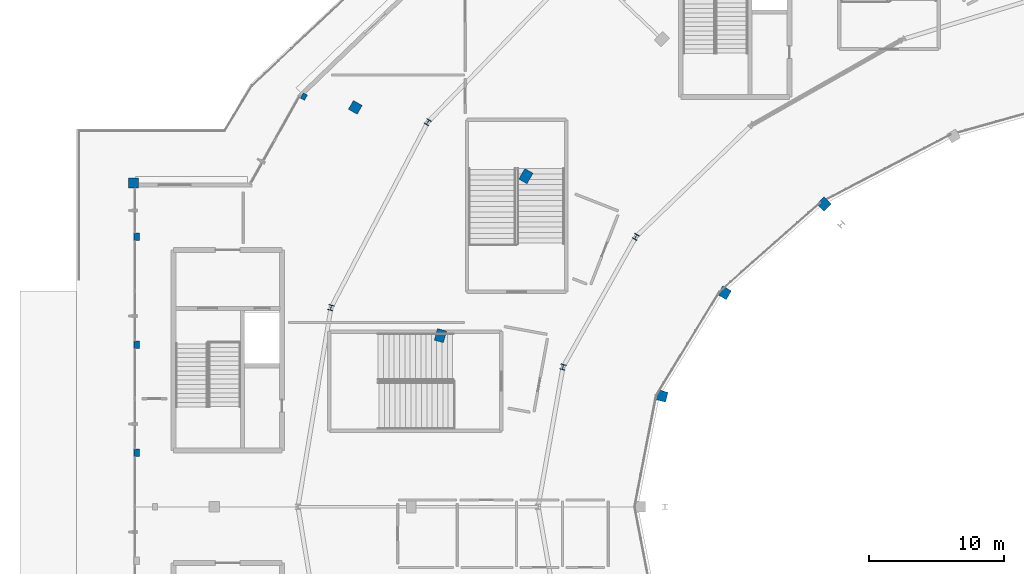
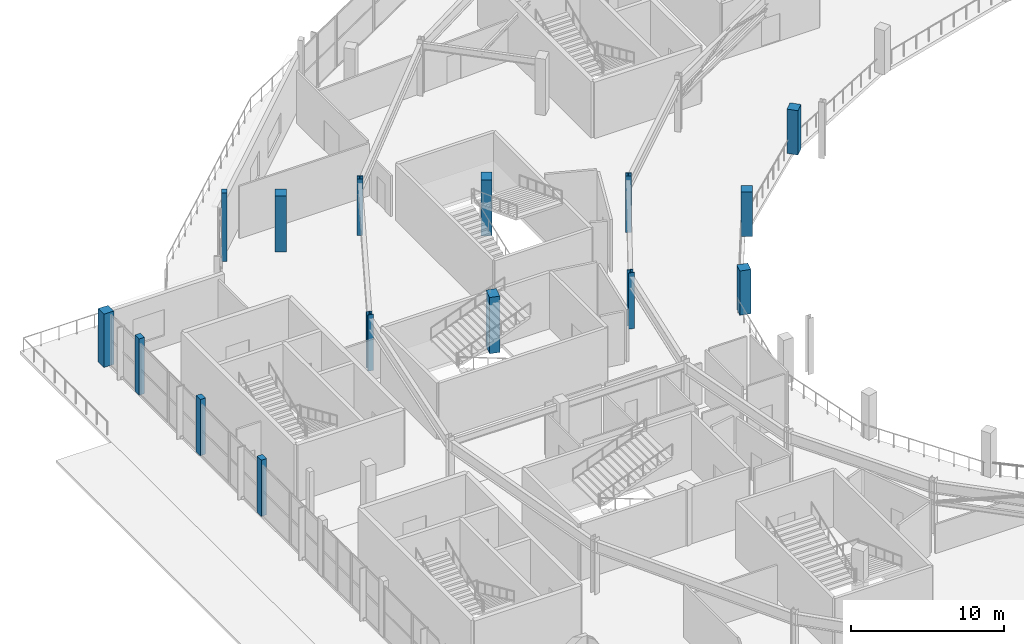
# One storey, part 7 of 123: 15 columns.
"""IFC4 building model written with IfcOpenShell, lengths in metres."""

from ifc_helpers import new_model, si_unit, direction, frame, origin, origin_2d, place, context, subcontext, project, spatial, rectangle, i_section, extrude, material, material_profile, profile_set, type_object, element, save


model = new_model("IFC4")

# Units and contexts
model_context = context("Model", 3, precision=1e-05, world=origin(), true_north=direction((0.0, 1.0)))
body_context = subcontext(model_context, "Body", "Model", "MODEL_VIEW")
ifc_project = project(units=[si_unit("LENGTHUNIT", "METRE"), si_unit("AREAUNIT", "SQUARE_METRE"), si_unit("VOLUMEUNIT", "CUBIC_METRE"), si_unit("PLANEANGLEUNIT", "RADIAN"), si_unit("MASSUNIT", "GRAM", prefix="KILO")], contexts=[model_context])

# Site, building, storey
site_placement = place(None, origin())
site = spatial("IfcSite", under=ifc_project, at=site_placement, CompositionType="ELEMENT")
building_placement = place(site_placement, origin())
building = spatial("IfcBuilding", under=site, at=building_placement, Name="Kalgoora Escarpment Arena", CompositionType="ELEMENT")
storey_placement = place(building_placement, frame((0.0, 0.0, 9.89990234375)))
storey = spatial("IfcBuildingStorey", under=building, at=storey_placement, Name="L02", CompositionType="ELEMENT", Elevation=9.89990234375)

# Columns
ifc_material_1 = material(Name="Structural steel Grade 350 (350 MPa)", Category="steel")
ifc_material_profile_1 = material_profile(ifc_material_1, i_section(OverallWidth=0.39990234375, OverallDepth=0.39990234375, WebThickness=0.01611328125, FlangeThickness=0.028076171875, at=origin_2d()))
ifc_profile_set_1 = profile_set([ifc_material_profile_1], Name="Structural steel Grade 350 (350 MPa)")
column_type_1 = type_object("IfcColumnType", Name="COL-COL-400WC212", PredefinedType="COLUMN", material=ifc_profile_set_1)
for number, where, z_axis, x_axis, name in (
    (1, (30.219482421875, 92.5, 0.0), (0.0, 0.0, 1.0), (-0.866025403784, 0.5, 0.0), "L02 structural column COL-RCONC2-R11"),
    (2, (23.04638671875, 78.752685546875, 0.0), (0.0, 0.0, 1.0), (-0.965925826289, 0.258819045103, 0.0), "L02 structural column COL-RCONC2-R12"),
):
    element("IfcColumn", number, at=place(storey_placement, frame(where, z_axis=z_axis, x_axis=x_axis)), inside=storey, type_object=column_type_1, Name=name, PredefinedType="COLUMN", context=body_context, shape_type="SweptSolid", body=[
        extrude(i_section(OverallWidth=0.39990234375, OverallDepth=0.39990234375, WebThickness=0.01611328125, FlangeThickness=0.028076171875, at=origin_2d()), origin(), (0.0, 0.0, 1.0), 4.5),
    ])
ifc_material_2 = material(Name="Structural steel Grade 350 (350 MPa)", Category="steel")
ifc_material_profile_2 = material_profile(ifc_material_2, i_section(OverallWidth=0.39990234375, OverallDepth=0.39990234375, WebThickness=0.01806640625, FlangeThickness=0.031982421875, at=origin_2d()))
ifc_profile_set_2 = profile_set([ifc_material_profile_2], Name="Structural steel Grade 350 (350 MPa)")
column_type_2 = type_object("IfcColumnType", Name="COL-COL-400WC270", PredefinedType="COLUMN", material=ifc_profile_set_2)
for number, where, z_axis, x_axis, name in (
    (3, (45.634521484375, 84.0, 0.0), (0.0, 0.0, 1.0), (-0.866025403784, 0.5, 0.0), "L02 structural column COL-RMAIN-R11"),
    (4, (40.239990234375, 74.352783203125, 0.0), (0.0, 0.0, 1.0), (-0.965925826289, 0.258819045103, 0.0), "L02 structural column COL-RMAIN-R12"),
):
    element("IfcColumn", number, at=place(storey_placement, frame(where, z_axis=z_axis, x_axis=x_axis)), inside=storey, type_object=column_type_2, Name=name, PredefinedType="COLUMN", context=body_context, shape_type="SweptSolid", body=[
        extrude(i_section(OverallWidth=0.39990234375, OverallDepth=0.39990234375, WebThickness=0.01806640625, FlangeThickness=0.031982421875, at=origin_2d()), origin(), (0.0, 0.0, 1.0), 4.5),
    ])
ifc_material_3 = material(Name="Concrete N50 (fc' 50 MPa)", Category="concrete")
ifc_material_profile_3 = material_profile(ifc_material_3, rectangle(XDim=0.75, YDim=0.75, at=origin_2d()))
ifc_profile_set_3 = profile_set([ifc_material_profile_3], Name="Concrete N50 (fc' 50 MPa)")
column_type_3 = type_object("IfcColumnType", Name="COL-COL-RC750x750", PredefinedType="COLUMN", material=ifc_profile_set_3)
column_1_placement = place(storey_placement, frame((59.583251953125, 86.429443359375, 0.0), z_axis=(0.0, 0.0, 1.0), x_axis=(-0.707106781187, 0.707106781187, 0.0)))
element("IfcColumn", 5, at=column_1_placement, inside=storey, type_object=column_type_3, Name="L02 structural column COL-RMID-R10", PredefinedType="COLUMN", context=body_context, shape_type="SweptSolid", body=[
    extrude(rectangle(XDim=0.75, YDim=0.75, at=origin_2d()), origin(), (0.0, 0.0, 1.0), 3.549072265625),
])
column_2_placement = place(storey_placement, frame((52.207763671875, 79.860107421875, 0.0), z_axis=(0.0, 0.0, 1.0), x_axis=(-0.866025403784, 0.5, 0.0)))
element("IfcColumn", 6, at=column_2_placement, inside=storey, type_object=column_type_3, Name="L02 structural column COL-RMID-R11", PredefinedType="COLUMN", context=body_context, shape_type="SweptSolid", body=[
    extrude(rectangle(XDim=0.75, YDim=0.75, at=origin_2d()), origin(), (0.0, 0.0, 1.0), 3.546142578125),
])
column_3_placement = place(storey_placement, frame((47.5712890625, 72.209716796875, 0.0), z_axis=(0.0, 0.0, 1.0), x_axis=(-0.965925826289, 0.258819045103, 0.0)))
element("IfcColumn", 7, at=column_3_placement, inside=storey, type_object=column_type_3, Name="L02 structural column COL-RMID-R12", PredefinedType="COLUMN", context=body_context, shape_type="SweptSolid", body=[
    extrude(rectangle(XDim=0.75, YDim=0.75, at=origin_2d()), origin(), (0.0, 0.0, 1.0), 3.5439453125),
])
column_4_placement = place(storey_placement, frame((24.85009765625, 93.60009765625, 0.0), z_axis=(0.0, 0.0, 1.0), x_axis=(-0.866025403784, 0.5, 0.0)))
element("IfcColumn", 8, at=column_4_placement, inside=storey, type_object=column_type_3, Name="L02 structural column COL-RBASE1-R11", PredefinedType="COLUMN", context=body_context, shape_type="SweptSolid", body=[
    extrude(rectangle(XDim=0.75, YDim=0.75, at=origin_2d()), origin(), (0.0, 0.0, 1.0), 4.5),
])
column_5_placement = place(storey_placement, frame((8.39990234375, 88.0, 0.0), z_axis=(0.0, 0.0, 1.0), x_axis=(1.0, 0.0, 0.0)))
element("IfcColumn", 9, at=column_5_placement, inside=storey, type_object=column_type_3, Name="L02 structural column COL-G2-M", PredefinedType="COLUMN", context=body_context, shape_type="SweptSolid", body=[
    extrude(rectangle(XDim=0.75, YDim=0.75, at=origin_2d()), origin(), (0.0, 0.0, 1.0), 4.26513671875),
])
ifc_material_4 = material(Name="Concrete N50 (fc' 50 MPa)", Category="concrete")
ifc_material_profile_4 = material_profile(ifc_material_4, rectangle(XDim=0.699951171875, YDim=0.89990234375, at=origin_2d()))
ifc_profile_set_4 = profile_set([ifc_material_profile_4], Name="Concrete N50 (fc' 50 MPa)")
column_type_4 = type_object("IfcColumnType", Name="COL-COL-RC900x700", PredefinedType="COLUMN", material=ifc_profile_set_4)
for number, where, z_axis, x_axis, name in (
    (10, (37.493896484375, 88.5, 0.0), (0.0, 0.0, 1.0), (-0.866025403784, 0.5, 0.0), "L02 structural column COL-RCONC1-R11"),
    (11, (31.160400390625, 76.68212890625, 0.0), (0.0, 0.0, 1.0), (-0.965925826289, 0.258819045103, 0.0), "L02 structural column COL-RCONC1-R12"),
):
    element("IfcColumn", number, at=place(storey_placement, frame(where, z_axis=z_axis, x_axis=x_axis)), inside=storey, type_object=column_type_4, Name=name, PredefinedType="COLUMN", context=body_context, shape_type="SweptSolid", body=[
        extrude(rectangle(XDim=0.699951171875, YDim=0.89990234375, at=origin_2d()), origin(), (0.0, 0.0, 1.0), 4.5),
    ])
ifc_material_5 = material(Name="Precast concrete N50 (fc' 50 MPa)", Category="concrete")
ifc_material_profile_5 = material_profile(ifc_material_5, rectangle(XDim=0.35009765625, YDim=0.449951171875, at=origin_2d()))
ifc_profile_set_5 = profile_set([ifc_material_profile_5], Name="Precast concrete N50 (fc' 50 MPa)")
column_type_5 = type_object("IfcColumnType", Name="COL-PIL-PC-PILASTER-450x350", PredefinedType="PILASTER", material=ifc_profile_set_5)
column_6_placement = place(storey_placement, frame((21.0400390625, 94.39990234375, 0.0), z_axis=(0.0, 0.0, 1.0), x_axis=(-0.866025403784, 0.5, 0.0)))
element("IfcColumn", 12, at=column_6_placement, inside=storey, type_object=column_type_5, Name="L02 fluted pilaster PIL-056", PredefinedType="PILASTER", context=body_context, shape_type="SweptSolid", body=[
    extrude(rectangle(XDim=0.35009765625, YDim=0.449951171875, at=origin_2d()), origin(), (0.0, 0.0, 1.0), 5.4501953125),
])
ifc_material_6 = material(Name="Precast concrete N50 (fc' 50 MPa)", Category="concrete")
ifc_material_profile_6 = material_profile(ifc_material_6, rectangle(XDim=0.39990234375, YDim=0.550048828125, at=origin_2d()))
ifc_profile_set_6 = profile_set([ifc_material_profile_6], Name="Precast concrete N50 (fc' 50 MPa)")
column_type_6 = type_object("IfcColumnType", Name="COL-PIL-PC-PILASTER-550x400", PredefinedType="PILASTER", material=ifc_profile_set_6)
for number, where, z_axis, x_axis, name in (
    (13, (8.64990234375, 68.0, 0.0), (0.0, 0.0, 1.0), (1.0, 0.0, 0.0), "L02 fluted pilaster PIL-019"),
    (14, (8.64990234375, 76.0, 0.0), (0.0, 0.0, 1.0), (1.0, 0.0, 0.0), "L02 fluted pilaster PIL-020"),
    (15, (8.64990234375, 84.0, 0.0), (0.0, 0.0, 1.0), (1.0, 0.0, 0.0), "L02 fluted pilaster PIL-021"),
):
    element("IfcColumn", number, at=place(storey_placement, frame(where, z_axis=z_axis, x_axis=x_axis)), inside=storey, type_object=column_type_6, Name=name, PredefinedType="PILASTER", context=body_context, shape_type="SweptSolid", body=[
        extrude(rectangle(XDim=0.39990234375, YDim=0.550048828125, at=origin_2d()), origin(), (0.0, 0.0, 1.0), 4.5),
    ])

save(model, "model.ifc")
